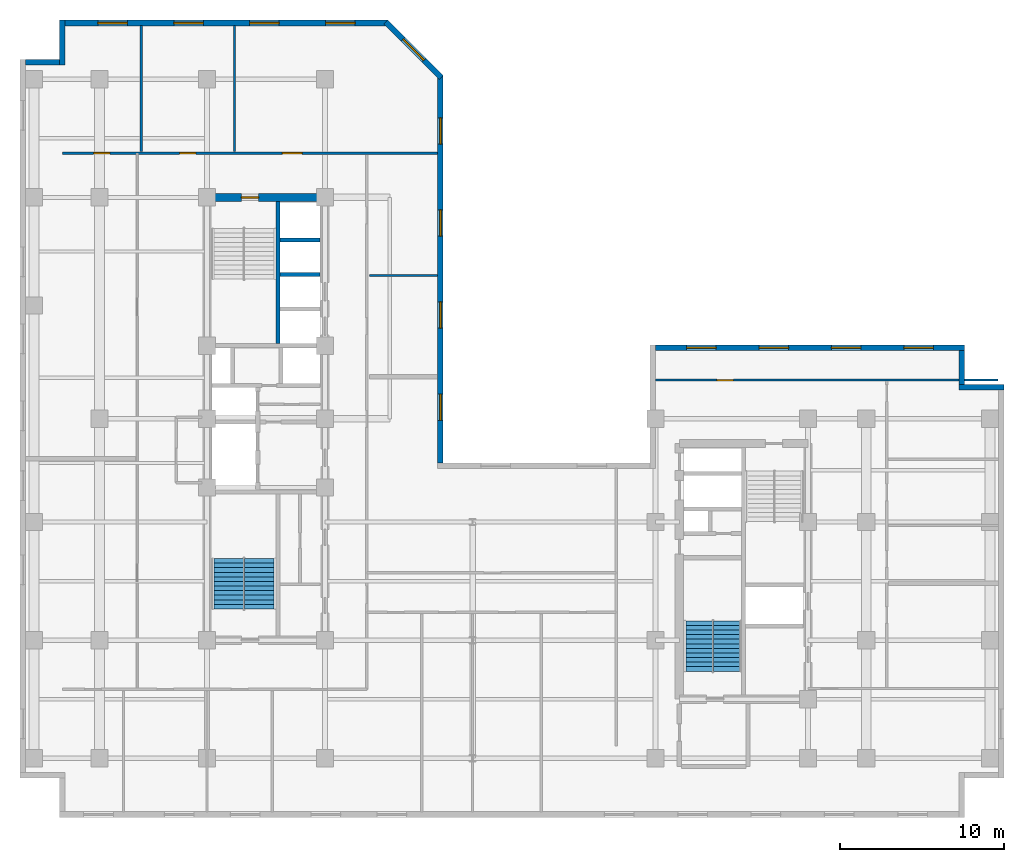
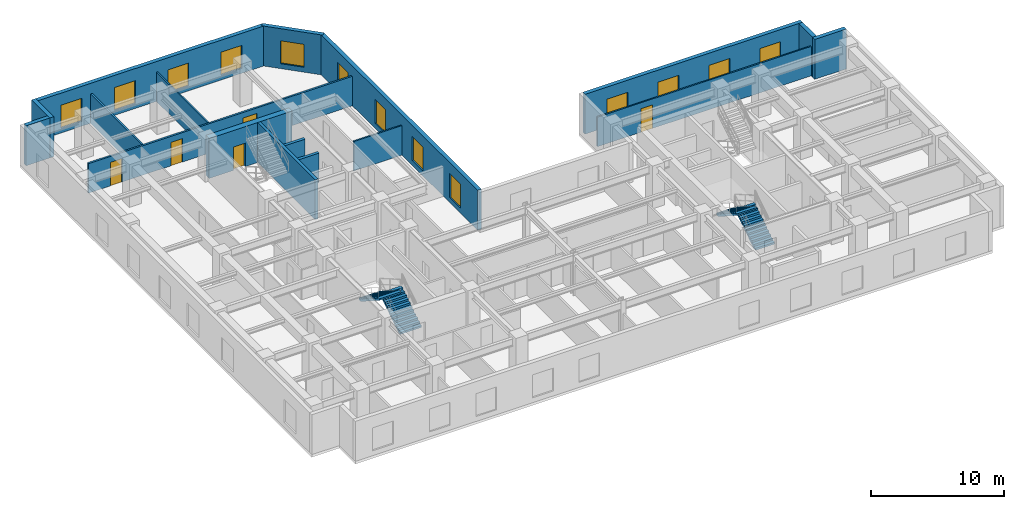
# One storey, part 6 of 10: 17 walls, 13 windows, 5 doors, 4 stair flights, 18 openings, 2 elements without a shape of their own.
"""IFC4 building model written with IfcOpenShell, lengths in metres."""

from ifc_helpers import new_model, entity, si_unit, converted_unit, direction, frame, origin_with_axes, origin_2d_with_axis, place, context, subcontext, project, spatial, polyline, rectangle, outline, extrude, material, layer, layer_set, type_object, element, fill, aggregate, save


model = new_model("IFC4")

# Units and contexts
model_context = context("Model", 3, precision=1e-05, world=origin_with_axes(), true_north=direction((0.0, 1.0)))
body_context = subcontext(model_context, "Body", "Model", "MODEL_VIEW")
ifc_project = project(units=[si_unit("LENGTHUNIT", "METRE"), si_unit("AREAUNIT", "SQUARE_METRE"), si_unit("VOLUMEUNIT", "CUBIC_METRE"), converted_unit("PLANEANGLEUNIT", "DEGREE", entity("IfcPlaneAngleMeasure", 0.017453292519943295), si_unit("PLANEANGLEUNIT", "RADIAN"), dimensions=[0, 0, 0, 0, 0, 0, 0]), si_unit("MASSUNIT", "GRAM", prefix="KILO"), si_unit("THERMODYNAMICTEMPERATUREUNIT", "KELVIN")], contexts=[model_context])

# Site, building, storey
site_placement = place(None, origin_with_axes())
site = spatial("IfcSite", under=ifc_project, at=site_placement, CompositionType="ELEMENT")
building_placement = place(site_placement, origin_with_axes())
building = spatial("IfcBuilding", under=site, at=building_placement, Name="Varnlund Millrace Tower", CompositionType="ELEMENT")
storey_placement = place(building_placement, frame((0.0, 0.0, 179.7), z_axis=(0.0, 0.0, 1.0), x_axis=(1.0, 0.0, 0.0)))
storey = spatial("IfcBuildingStorey", under=building, at=storey_placement, Name="L44", CompositionType="ELEMENT", Elevation=179.7)

# Wall, opening, door
ifc_material_1 = material(Name="Concrete C70/85", Category="concrete")
ifc_layer_1 = layer(ifc_material_1, 0.5, Name="Concrete C70/85")
ifc_layer_set_1 = layer_set([ifc_layer_1], Name="Concrete C70/85")
wall_type_1 = type_object("IfcWallType", Name="Type-CoreWall-Shear-500-C70", PredefinedType="SHEAR", material=ifc_layer_set_1)
wall_1_placement = place(storey_placement, frame((11.4, 37.8, 0.0), z_axis=(0.0, 0.0, 1.0), x_axis=(1.0, 0.0, 0.0)))
wall_1 = element("IfcWall", 1, at=wall_1_placement, inside=storey, type_object=wall_type_1, Name="Type-CoreWall-Shear-500-C70", PredefinedType="SHEAR", context=body_context, shape_type="SweptSolid", body=[
    extrude(outline(polyline([(0.0, -0.25), (7.2, -0.25), (7.2, 0.25), (0.0, 0.25), (0.0, -0.25)])), origin_with_axes(), (0.0, 0.0, 1.0), 3.66),
])
opening_1_placement = place(wall_1_placement, frame((2.625, 0.0, 0.0), z_axis=(0.0, 0.0, 1.0), x_axis=(1.0, 0.0, 0.0)))
opening_1 = element("IfcOpeningElement", 2, at=opening_1_placement, cuts=wall_1, Name="Opening L44:DR-STA2", PredefinedType="OPENING", context=body_context, shape_type="SweptSolid", body=[
    extrude(rectangle(XDim=1.05, YDim=0.52, at=origin_2d_with_axis()), origin_with_axes(), (0.0, 0.0, 1.0), 2.15),
])
ifc_material_2 = material(Name="Fire-rated hollow steel door", Category="steel")
door_type_1 = type_object("IfcDoorType", Name="Type-FireDoor-Stair-1050X2150", OperationType="NOTDEFINED", PredefinedType="DOOR", material=ifc_material_2)
door_1_placement = place(wall_1_placement, frame((2.625, 0.0, 0.0), z_axis=(0.0, 0.0, 1.0), x_axis=(1.0, 0.0, 0.0)))
door_1 = element("IfcDoor", 3, at=door_1_placement, inside=storey, type_object=door_type_1, Name="Type-FireDoor-Stair-1050X2150", OperationType="SINGLE_SWING_RIGHT", OverallHeight=2.15, OverallWidth=1.05, PredefinedType="DOOR", context=body_context, shape_type="SweptSolid", body=[
    extrude(rectangle(XDim=1.05, YDim=0.09, at=origin_2d_with_axis()), origin_with_axes(), (0.0, 0.0, 1.0), 2.15),
])
fill(opening_1, door_1)

# Wall, openings, windows
ifc_material_3 = material(Name="Precast concrete C50/60", Category="concrete")
ifc_layer_2 = layer(ifc_material_3, 0.34, Name="Precast concrete C50/60")
ifc_layer_set_2 = layer_set([ifc_layer_2], Name="Precast concrete C50/60")
wall_type_2 = type_object("IfcWallType", Name="Type-ExtWall-Precast-Upper-340", PredefinedType="SOLIDWALL", material=ifc_layer_set_2)
wall_2_placement = place(storey_placement, frame((38.74, 28.63, 0.0), z_axis=(0.0, 0.0, 1.0), x_axis=(1.0, 0.0, 0.0)))
wall_2 = element("IfcWall", 4, at=wall_2_placement, inside=storey, type_object=wall_type_2, Name="Type-ExtWall-Precast-Upper-340", PredefinedType="SOLIDWALL", context=body_context, shape_type="SweptSolid", body=[
    extrude(outline(polyline([(0.0, -0.17), (18.86, -0.17), (18.86, 0.17), (0.0, 0.17), (0.0, -0.17)])), origin_with_axes(), (0.0, 0.0, 1.0), 3.66),
])
opening_2_placement = place(wall_2_placement, frame((2.808, 0.0, 0.45), z_axis=(0.0, 0.0, 1.0), x_axis=(1.0, 0.0, 0.0)))
opening_2 = element("IfcOpeningElement", 5, at=opening_2_placement, cuts=wall_2, Name="Opening L44:WN-01", PredefinedType="OPENING", context=body_context, shape_type="SweptSolid", body=[
    extrude(rectangle(XDim=1.8, YDim=0.36, at=origin_2d_with_axis()), origin_with_axes(), (0.0, 0.0, 1.0), 2.1),
])
opening_3_placement = place(wall_2_placement, frame((7.222, 0.0, 0.45), z_axis=(0.0, 0.0, 1.0), x_axis=(1.0, 0.0, 0.0)))
opening_3 = element("IfcOpeningElement", 6, at=opening_3_placement, cuts=wall_2, Name="Opening L44:WN-02", PredefinedType="OPENING", context=body_context, shape_type="SweptSolid", body=[
    extrude(rectangle(XDim=1.8, YDim=0.36, at=origin_2d_with_axis()), origin_with_axes(), (0.0, 0.0, 1.0), 2.1),
])
opening_4_placement = place(wall_2_placement, frame((11.637, 0.0, 0.45), z_axis=(0.0, 0.0, 1.0), x_axis=(1.0, 0.0, 0.0)))
opening_4 = element("IfcOpeningElement", 7, at=opening_4_placement, cuts=wall_2, Name="Opening L44:WN-03", PredefinedType="OPENING", context=body_context, shape_type="SweptSolid", body=[
    extrude(rectangle(XDim=1.8, YDim=0.36, at=origin_2d_with_axis()), origin_with_axes(), (0.0, 0.0, 1.0), 2.1),
])
opening_5_placement = place(wall_2_placement, frame((16.053, 0.0, 0.45), z_axis=(0.0, 0.0, 1.0), x_axis=(1.0, 0.0, 0.0)))
opening_5 = element("IfcOpeningElement", 8, at=opening_5_placement, cuts=wall_2, Name="Opening L44:WN-04", PredefinedType="OPENING", context=body_context, shape_type="SweptSolid", body=[
    extrude(rectangle(XDim=1.8, YDim=0.36, at=origin_2d_with_axis()), origin_with_axes(), (0.0, 0.0, 1.0), 2.1),
])
ifc_material_4 = material(Name="Argon low-e triple glazing in thermally broken bronze frame", Category="glass")
window_type_1 = type_object("IfcWindowType", Name="Type-Window-Punched-1800X2100", PartitioningType="SINGLE_PANEL", PredefinedType="WINDOW", material=ifc_material_4)
window_1_placement = place(wall_2_placement, frame((2.808, 0.0, 0.45), z_axis=(0.0, 0.0, 1.0), x_axis=(1.0, 0.0, 0.0)))
window_1 = element("IfcWindow", 9, at=window_1_placement, inside=storey, type_object=window_type_1, Name="Type-Window-Punched-1800X2100", OverallHeight=2.1, OverallWidth=1.8, PredefinedType="WINDOW", context=body_context, shape_type="SweptSolid", body=[
    extrude(rectangle(XDim=1.8, YDim=0.09, at=origin_2d_with_axis()), origin_with_axes(), (0.0, 0.0, 1.0), 2.1),
])
fill(opening_2, window_1)
window_2_placement = place(wall_2_placement, frame((7.222, 0.0, 0.45), z_axis=(0.0, 0.0, 1.0), x_axis=(1.0, 0.0, 0.0)))
window_2 = element("IfcWindow", 10, at=window_2_placement, inside=storey, type_object=window_type_1, Name="Type-Window-Punched-1800X2100", OverallHeight=2.1, OverallWidth=1.8, PredefinedType="WINDOW", context=body_context, shape_type="SweptSolid", body=[
    extrude(rectangle(XDim=1.8, YDim=0.09, at=origin_2d_with_axis()), origin_with_axes(), (0.0, 0.0, 1.0), 2.1),
])
fill(opening_3, window_2)
window_3_placement = place(wall_2_placement, frame((11.637, 0.0, 0.45), z_axis=(0.0, 0.0, 1.0), x_axis=(1.0, 0.0, 0.0)))
window_3 = element("IfcWindow", 11, at=window_3_placement, inside=storey, type_object=window_type_1, Name="Type-Window-Punched-1800X2100", OverallHeight=2.1, OverallWidth=1.8, PredefinedType="WINDOW", context=body_context, shape_type="SweptSolid", body=[
    extrude(rectangle(XDim=1.8, YDim=0.09, at=origin_2d_with_axis()), origin_with_axes(), (0.0, 0.0, 1.0), 2.1),
])
fill(opening_4, window_3)
window_4_placement = place(wall_2_placement, frame((16.053, 0.0, 0.45), z_axis=(0.0, 0.0, 1.0), x_axis=(1.0, 0.0, 0.0)))
window_4 = element("IfcWindow", 12, at=window_4_placement, inside=storey, type_object=window_type_1, Name="Type-Window-Punched-1800X2100", OverallHeight=2.1, OverallWidth=1.8, PredefinedType="WINDOW", context=body_context, shape_type="SweptSolid", body=[
    extrude(rectangle(XDim=1.8, YDim=0.09, at=origin_2d_with_axis()), origin_with_axes(), (0.0, 0.0, 1.0), 2.1),
])
fill(opening_5, window_4)

# Walls
wall_3_placement = place(storey_placement, frame((57.43, 28.46, 0.0), z_axis=(0.0, 0.0, 1.0), x_axis=(0.0, -1.0, 0.0)))
element("IfcWall", 13, at=wall_3_placement, inside=storey, type_object=wall_type_2, Name="Type-ExtWall-Precast-Upper-340", PredefinedType="SOLIDWALL", context=body_context, shape_type="SweptSolid", body=[
    extrude(outline(polyline([(0.0, -0.17), (2.06, -0.17), (2.06, 0.17), (0.0, 0.17), (0.0, -0.17)])), origin_with_axes(), (0.0, 0.0, 1.0), 3.66),
])
wall_4_placement = place(storey_placement, frame((57.26, 26.23, 0.0), z_axis=(0.0, 0.0, 1.0), x_axis=(1.0, 0.0, 0.0)))
element("IfcWall", 14, at=wall_4_placement, inside=storey, type_object=wall_type_2, Name="Type-ExtWall-Precast-Upper-340", PredefinedType="SOLIDWALL", context=body_context, shape_type="SweptSolid", body=[
    extrude(outline(polyline([(0.0, -0.17), (2.74, -0.17), (2.74, 0.17), (0.0, 0.17), (0.0, -0.17)])), origin_with_axes(), (0.0, 0.0, 1.0), 3.66),
])
wall_5_placement = place(storey_placement, frame((0.34, 46.03, 0.0), z_axis=(0.0, 0.0, 1.0), x_axis=(1.0, 0.0, 0.0)))
element("IfcWall", 15, at=wall_5_placement, inside=storey, type_object=wall_type_2, Name="Type-ExtWall-Precast-Upper-340", PredefinedType="SOLIDWALL", context=body_context, shape_type="SweptSolid", body=[
    extrude(outline(polyline([(0.0, -0.17), (2.06, -0.17), (2.06, 0.17), (0.0, 0.17), (0.0, -0.17)])), origin_with_axes(), (0.0, 0.0, 1.0), 3.66),
])
wall_6_placement = place(storey_placement, frame((2.57, 45.86, 0.0), z_axis=(0.0, 0.0, 1.0), x_axis=(0.0, 1.0, 0.0)))
element("IfcWall", 16, at=wall_6_placement, inside=storey, type_object=wall_type_2, Name="Type-ExtWall-Precast-Upper-340", PredefinedType="SOLIDWALL", context=body_context, shape_type="SweptSolid", body=[
    extrude(outline(polyline([(0.0, -0.17), (2.74, -0.17), (2.74, 0.17), (0.0, 0.17), (0.0, -0.17)])), origin_with_axes(), (0.0, 0.0, 1.0), 3.66),
])

# Wall, openings, windows
wall_7_placement = place(storey_placement, frame((2.74, 48.43, 0.0), z_axis=(0.0, 0.0, 1.0), x_axis=(1.0, 0.0, 0.0)))
wall_7 = element("IfcWall", 17, at=wall_7_placement, inside=storey, type_object=wall_type_2, Name="Type-ExtWall-Precast-Upper-340", PredefinedType="SOLIDWALL", context=body_context, shape_type="SweptSolid", body=[
    extrude(outline(polyline([(0.0, -0.17), (19.705, -0.17), (19.705, 0.17), (0.0, 0.17), (0.0, -0.17)])), origin_with_axes(), (0.0, 0.0, 1.0), 3.66),
])
opening_6_placement = place(wall_7_placement, frame((2.913, 0.0, 0.45), z_axis=(0.0, 0.0, 1.0), x_axis=(1.0, 0.0, 0.0)))
opening_6 = element("IfcOpeningElement", 18, at=opening_6_placement, cuts=wall_7, Name="Opening L44:WN-23", PredefinedType="OPENING", context=body_context, shape_type="SweptSolid", body=[
    extrude(rectangle(XDim=1.8, YDim=0.36, at=origin_2d_with_axis()), origin_with_axes(), (0.0, 0.0, 1.0), 2.1),
])
opening_7_placement = place(wall_7_placement, frame((7.539, 0.0, 0.45), z_axis=(0.0, 0.0, 1.0), x_axis=(1.0, 0.0, 0.0)))
opening_7 = element("IfcOpeningElement", 19, at=opening_7_placement, cuts=wall_7, Name="Opening L44:WN-24", PredefinedType="OPENING", context=body_context, shape_type="SweptSolid", body=[
    extrude(rectangle(XDim=1.8, YDim=0.36, at=origin_2d_with_axis()), origin_with_axes(), (0.0, 0.0, 1.0), 2.1),
])
opening_8_placement = place(wall_7_placement, frame((12.166, 0.0, 0.45), z_axis=(0.0, 0.0, 1.0), x_axis=(1.0, 0.0, 0.0)))
opening_8 = element("IfcOpeningElement", 20, at=opening_8_placement, cuts=wall_7, Name="Opening L44:WN-25", PredefinedType="OPENING", context=body_context, shape_type="SweptSolid", body=[
    extrude(rectangle(XDim=1.8, YDim=0.36, at=origin_2d_with_axis()), origin_with_axes(), (0.0, 0.0, 1.0), 2.1),
])
opening_9_placement = place(wall_7_placement, frame((16.792, 0.0, 0.45), z_axis=(0.0, 0.0, 1.0), x_axis=(1.0, 0.0, 0.0)))
opening_9 = element("IfcOpeningElement", 21, at=opening_9_placement, cuts=wall_7, Name="Opening L44:WN-26", PredefinedType="OPENING", context=body_context, shape_type="SweptSolid", body=[
    extrude(rectangle(XDim=1.8, YDim=0.36, at=origin_2d_with_axis()), origin_with_axes(), (0.0, 0.0, 1.0), 2.1),
])
window_5_placement = place(wall_7_placement, frame((2.913, 0.0, 0.45), z_axis=(0.0, 0.0, 1.0), x_axis=(1.0, 0.0, 0.0)))
window_5 = element("IfcWindow", 22, at=window_5_placement, inside=storey, type_object=window_type_1, Name="Type-Window-Punched-1800X2100", OverallHeight=2.1, OverallWidth=1.8, PredefinedType="WINDOW", context=body_context, shape_type="SweptSolid", body=[
    extrude(rectangle(XDim=1.8, YDim=0.09, at=origin_2d_with_axis()), origin_with_axes(), (0.0, 0.0, 1.0), 2.1),
])
fill(opening_6, window_5)
window_6_placement = place(wall_7_placement, frame((7.539, 0.0, 0.45), z_axis=(0.0, 0.0, 1.0), x_axis=(1.0, 0.0, 0.0)))
window_6 = element("IfcWindow", 23, at=window_6_placement, inside=storey, type_object=window_type_1, Name="Type-Window-Punched-1800X2100", OverallHeight=2.1, OverallWidth=1.8, PredefinedType="WINDOW", context=body_context, shape_type="SweptSolid", body=[
    extrude(rectangle(XDim=1.8, YDim=0.09, at=origin_2d_with_axis()), origin_with_axes(), (0.0, 0.0, 1.0), 2.1),
])
fill(opening_7, window_6)
window_7_placement = place(wall_7_placement, frame((12.166, 0.0, 0.45), z_axis=(0.0, 0.0, 1.0), x_axis=(1.0, 0.0, 0.0)))
window_7 = element("IfcWindow", 24, at=window_7_placement, inside=storey, type_object=window_type_1, Name="Type-Window-Punched-1800X2100", OverallHeight=2.1, OverallWidth=1.8, PredefinedType="WINDOW", context=body_context, shape_type="SweptSolid", body=[
    extrude(rectangle(XDim=1.8, YDim=0.09, at=origin_2d_with_axis()), origin_with_axes(), (0.0, 0.0, 1.0), 2.1),
])
fill(opening_8, window_7)
window_8_placement = place(wall_7_placement, frame((16.792, 0.0, 0.45), z_axis=(0.0, 0.0, 1.0), x_axis=(1.0, 0.0, 0.0)))
window_8 = element("IfcWindow", 25, at=window_8_placement, inside=storey, type_object=window_type_1, Name="Type-Window-Punched-1800X2100", OverallHeight=2.1, OverallWidth=1.8, PredefinedType="WINDOW", context=body_context, shape_type="SweptSolid", body=[
    extrude(rectangle(XDim=1.8, YDim=0.09, at=origin_2d_with_axis()), origin_with_axes(), (0.0, 0.0, 1.0), 2.1),
])
fill(opening_9, window_8)

# Wall, opening, window
wall_8_placement = place(storey_placement, frame((22.311, 48.494, 0.0), z_axis=(0.0, 0.0, 1.0), x_axis=(0.707107, -0.707107, 0.0)))
wall_8 = element("IfcWall", 26, at=wall_8_placement, inside=storey, type_object=wall_type_2, Name="Type-ExtWall-Precast-Upper-340", PredefinedType="SOLIDWALL", context=body_context, shape_type="SweptSolid", body=[
    extrude(outline(polyline([(0.0, -0.17), (4.771557, -0.17), (4.771557, 0.17), (0.0, 0.17), (0.0, -0.17)])), origin_with_axes(), (0.0, 0.0, 1.0), 3.66),
])
opening_10_placement = place(wall_8_placement, frame((2.386, 0.0, 0.45), z_axis=(0.0, 0.0, 1.0), x_axis=(1.0, 0.0, 0.0)))
opening_10 = element("IfcOpeningElement", 27, at=opening_10_placement, cuts=wall_8, Name="Opening L44:WN-27", PredefinedType="OPENING", context=body_context, shape_type="SweptSolid", body=[
    extrude(rectangle(XDim=1.8, YDim=0.36, at=origin_2d_with_axis()), origin_with_axes(), (0.0, 0.0, 1.0), 2.1),
])
window_9_placement = place(wall_8_placement, frame((2.386, 0.0, 0.45), z_axis=(0.0, 0.0, 1.0), x_axis=(1.0, 0.0, 0.0)))
window_9 = element("IfcWindow", 28, at=window_9_placement, inside=storey, type_object=window_type_1, Name="Type-Window-Punched-1800X2100", OverallHeight=2.1, OverallWidth=1.8, PredefinedType="WINDOW", context=body_context, shape_type="SweptSolid", body=[
    extrude(rectangle(XDim=1.8, YDim=0.09, at=origin_2d_with_axis()), origin_with_axes(), (0.0, 0.0, 1.0), 2.1),
])
fill(opening_10, window_9)

# Wall, openings, windows
wall_9_placement = place(storey_placement, frame((25.635, 45.26, 0.0), z_axis=(0.0, 0.0, 1.0), x_axis=(0.0, -1.0, 0.0)))
wall_9 = element("IfcWall", 29, at=wall_9_placement, inside=storey, type_object=wall_type_2, Name="Type-ExtWall-Precast-Upper-340", PredefinedType="SOLIDWALL", context=body_context, shape_type="SweptSolid", body=[
    extrude(outline(polyline([(0.0, -0.17), (23.66, -0.17), (23.66, 0.17), (0.0, 0.17), (0.0, -0.17)])), origin_with_axes(), (0.0, 0.0, 1.0), 3.66),
])
opening_11_placement = place(wall_9_placement, frame((3.407, 0.0, 0.45), z_axis=(0.0, 0.0, 1.0), x_axis=(1.0, 0.0, 0.0)))
opening_11 = element("IfcOpeningElement", 30, at=opening_11_placement, cuts=wall_9, Name="Opening L44:WN-28", PredefinedType="OPENING", context=body_context, shape_type="SweptSolid", body=[
    extrude(rectangle(XDim=1.6, YDim=0.36, at=origin_2d_with_axis()), origin_with_axes(), (0.0, 0.0, 1.0), 2.2),
])
opening_12_placement = place(wall_9_placement, frame((9.022, 0.0, 0.45), z_axis=(0.0, 0.0, 1.0), x_axis=(1.0, 0.0, 0.0)))
opening_12 = element("IfcOpeningElement", 31, at=opening_12_placement, cuts=wall_9, Name="Opening L44:WN-29", PredefinedType="OPENING", context=body_context, shape_type="SweptSolid", body=[
    extrude(rectangle(XDim=1.6, YDim=0.36, at=origin_2d_with_axis()), origin_with_axes(), (0.0, 0.0, 1.0), 2.2),
])
opening_13_placement = place(wall_9_placement, frame((14.637, 0.0, 0.45), z_axis=(0.0, 0.0, 1.0), x_axis=(1.0, 0.0, 0.0)))
opening_13 = element("IfcOpeningElement", 32, at=opening_13_placement, cuts=wall_9, Name="Opening L44:WN-30", PredefinedType="OPENING", context=body_context, shape_type="SweptSolid", body=[
    extrude(rectangle(XDim=1.6, YDim=0.36, at=origin_2d_with_axis()), origin_with_axes(), (0.0, 0.0, 1.0), 2.2),
])
opening_14_placement = place(wall_9_placement, frame((20.252, 0.0, 0.45), z_axis=(0.0, 0.0, 1.0), x_axis=(1.0, 0.0, 0.0)))
opening_14 = element("IfcOpeningElement", 33, at=opening_14_placement, cuts=wall_9, Name="Opening L44:WN-31", PredefinedType="OPENING", context=body_context, shape_type="SweptSolid", body=[
    extrude(rectangle(XDim=1.6, YDim=0.36, at=origin_2d_with_axis()), origin_with_axes(), (0.0, 0.0, 1.0), 2.2),
])
window_type_2 = type_object("IfcWindowType", Name="Type-Window-Slot-1600X2200", PartitioningType="SINGLE_PANEL", PredefinedType="WINDOW", material=ifc_material_4)
window_10_placement = place(wall_9_placement, frame((3.407, 0.0, 0.45), z_axis=(0.0, 0.0, 1.0), x_axis=(1.0, 0.0, 0.0)))
window_10 = element("IfcWindow", 34, at=window_10_placement, inside=storey, type_object=window_type_2, Name="Type-Window-Slot-1600X2200", OverallHeight=2.2, OverallWidth=1.6, PredefinedType="WINDOW", context=body_context, shape_type="SweptSolid", body=[
    extrude(rectangle(XDim=1.6, YDim=0.09, at=origin_2d_with_axis()), origin_with_axes(), (0.0, 0.0, 1.0), 2.2),
])
fill(opening_11, window_10)
window_11_placement = place(wall_9_placement, frame((9.022, 0.0, 0.45), z_axis=(0.0, 0.0, 1.0), x_axis=(1.0, 0.0, 0.0)))
window_11 = element("IfcWindow", 35, at=window_11_placement, inside=storey, type_object=window_type_2, Name="Type-Window-Slot-1600X2200", OverallHeight=2.2, OverallWidth=1.6, PredefinedType="WINDOW", context=body_context, shape_type="SweptSolid", body=[
    extrude(rectangle(XDim=1.6, YDim=0.09, at=origin_2d_with_axis()), origin_with_axes(), (0.0, 0.0, 1.0), 2.2),
])
fill(opening_12, window_11)
window_12_placement = place(wall_9_placement, frame((14.637, 0.0, 0.45), z_axis=(0.0, 0.0, 1.0), x_axis=(1.0, 0.0, 0.0)))
window_12 = element("IfcWindow", 36, at=window_12_placement, inside=storey, type_object=window_type_2, Name="Type-Window-Slot-1600X2200", OverallHeight=2.2, OverallWidth=1.6, PredefinedType="WINDOW", context=body_context, shape_type="SweptSolid", body=[
    extrude(rectangle(XDim=1.6, YDim=0.09, at=origin_2d_with_axis()), origin_with_axes(), (0.0, 0.0, 1.0), 2.2),
])
fill(opening_13, window_12)
window_13_placement = place(wall_9_placement, frame((20.252, 0.0, 0.45), z_axis=(0.0, 0.0, 1.0), x_axis=(1.0, 0.0, 0.0)))
window_13 = element("IfcWindow", 37, at=window_13_placement, inside=storey, type_object=window_type_2, Name="Type-Window-Slot-1600X2200", OverallHeight=2.2, OverallWidth=1.6, PredefinedType="WINDOW", context=body_context, shape_type="SweptSolid", body=[
    extrude(rectangle(XDim=1.6, YDim=0.09, at=origin_2d_with_axis()), origin_with_axes(), (0.0, 0.0, 1.0), 2.2),
])
fill(opening_14, window_13)

# Wall, openings, doors
ifc_material_5 = material(Name="Fire-rated gypsum board on cold-formed steel framing", Category="steel")
ifc_layer_3 = layer(ifc_material_5, 0.16, Name="Fire-rated gypsum board on cold-formed steel framing")
ifc_layer_set_3 = layer_set([ifc_layer_3], Name="Fire-rated gypsum board on cold-formed steel framing")
wall_type_3 = type_object("IfcWallType", Name="Type-Partition-Corridor-160", PredefinedType="PARTITIONING", material=ifc_layer_set_3)
wall_10_placement = place(storey_placement, frame((2.6, 40.5, 0.0), z_axis=(0.0, 0.0, 1.0), x_axis=(1.0, 0.0, 0.0)))
wall_10 = element("IfcWall", 38, at=wall_10_placement, inside=storey, type_object=wall_type_3, Name="Type-Partition-Corridor-160", PredefinedType="PARTITIONING", context=body_context, shape_type="SweptSolid", body=[
    extrude(outline(polyline([(0.0, -0.08), (22.87, -0.08), (22.87, 0.08), (0.0, 0.08), (0.0, -0.08)])), origin_with_axes(), (0.0, 0.0, 1.0), 2.7),
])
opening_15_placement = place(wall_10_placement, frame((2.3865, 0.0, 0.0), z_axis=(0.0, 0.0, 1.0), x_axis=(1.0, 0.0, 0.0)))
opening_15 = element("IfcOpeningElement", 39, at=opening_15_placement, cuts=wall_10, Name="Opening L44:DR-WAN-01", PredefinedType="OPENING", context=body_context, shape_type="SweptSolid", body=[
    extrude(rectangle(XDim=1.0, YDim=0.18, at=origin_2d_with_axis()), origin_with_axes(), (0.0, 0.0, 1.0), 2.15),
])
opening_16_placement = place(wall_10_placement, frame((7.631, 0.0, 0.0), z_axis=(0.0, 0.0, 1.0), x_axis=(1.0, 0.0, 0.0)))
opening_16 = element("IfcOpeningElement", 40, at=opening_16_placement, cuts=wall_10, Name="Opening L44:DR-WAN-02", PredefinedType="OPENING", context=body_context, shape_type="SweptSolid", body=[
    extrude(rectangle(XDim=1.0, YDim=0.18, at=origin_2d_with_axis()), origin_with_axes(), (0.0, 0.0, 1.0), 2.15),
])
opening_17_placement = place(wall_10_placement, frame((13.9995, 0.0, 0.0), z_axis=(0.0, 0.0, 1.0), x_axis=(1.0, 0.0, 0.0)))
opening_17 = element("IfcOpeningElement", 41, at=opening_17_placement, cuts=wall_10, Name="Opening L44:DR-WAN-03", PredefinedType="OPENING", context=body_context, shape_type="SweptSolid", body=[
    extrude(rectangle(XDim=1.2, YDim=0.18, at=origin_2d_with_axis()), origin_with_axes(), (0.0, 0.0, 1.0), 2.2),
])
ifc_material_6 = material(Name="Wide executive white oak acoustic door")
door_type_2 = type_object("IfcDoorType", Name="Type-IntDoor-Exec-1200X2200", OperationType="NOTDEFINED", PredefinedType="DOOR", material=ifc_material_6)
door_2_placement = place(wall_10_placement, frame((13.9995, 0.0, 0.0), z_axis=(0.0, 0.0, 1.0), x_axis=(1.0, 0.0, 0.0)))
door_2 = element("IfcDoor", 42, at=door_2_placement, inside=storey, type_object=door_type_2, Name="Type-IntDoor-Exec-1200X2200", OperationType="SINGLE_SWING_LEFT", OverallHeight=2.2, OverallWidth=1.2, PredefinedType="DOOR", context=body_context, shape_type="SweptSolid", body=[
    extrude(rectangle(XDim=1.2, YDim=0.09, at=origin_2d_with_axis()), origin_with_axes(), (0.0, 0.0, 1.0), 2.2),
])
fill(opening_17, door_2)
ifc_material_7 = material(Name="Solid-core white oak and bronze frame door")
door_type_3 = type_object("IfcDoorType", Name="Type-IntDoor-Office-1000X2150", OperationType="NOTDEFINED", PredefinedType="DOOR", material=ifc_material_7)
door_3_placement = place(wall_10_placement, frame((2.3865, 0.0, 0.0), z_axis=(0.0, 0.0, 1.0), x_axis=(1.0, 0.0, 0.0)))
door_3 = element("IfcDoor", 43, at=door_3_placement, inside=storey, type_object=door_type_3, Name="Type-IntDoor-Office-1000X2150", OperationType="SINGLE_SWING_LEFT", OverallHeight=2.15, OverallWidth=1.0, PredefinedType="DOOR", context=body_context, shape_type="SweptSolid", body=[
    extrude(rectangle(XDim=1.0, YDim=0.09, at=origin_2d_with_axis()), origin_with_axes(), (0.0, 0.0, 1.0), 2.15),
])
fill(opening_15, door_3)
door_4_placement = place(wall_10_placement, frame((7.631, 0.0, 0.0), z_axis=(0.0, 0.0, 1.0), x_axis=(1.0, 0.0, 0.0)))
door_4 = element("IfcDoor", 44, at=door_4_placement, inside=storey, type_object=door_type_3, Name="Type-IntDoor-Office-1000X2150", OperationType="SINGLE_SWING_RIGHT", OverallHeight=2.15, OverallWidth=1.0, PredefinedType="DOOR", context=body_context, shape_type="SweptSolid", body=[
    extrude(rectangle(XDim=1.0, YDim=0.09, at=origin_2d_with_axis()), origin_with_axes(), (0.0, 0.0, 1.0), 2.15),
])
fill(opening_16, door_4)

# Walls
ifc_material_8 = material(Name="Acoustic STC-50 gypsum board partition", Category="gypsum")
ifc_layer_4 = layer(ifc_material_8, 0.15, Name="Acoustic STC-50 gypsum board partition")
ifc_layer_set_4 = layer_set([ifc_layer_4], Name="Acoustic STC-50 gypsum board partition")
wall_type_4 = type_object("IfcWallType", Name="Type-Partition-Demising-150", PredefinedType="PARTITIONING", material=ifc_layer_set_4)
wall_11_placement = place(storey_placement, frame((7.383, 40.6, 0.0), z_axis=(0.0, 0.0, 1.0), x_axis=(0.0, 1.0, 0.0)))
element("IfcWall", 45, at=wall_11_placement, inside=storey, type_object=wall_type_4, Name="Type-Partition-Demising-150", PredefinedType="PARTITIONING", context=body_context, shape_type="SweptSolid", body=[
    extrude(outline(polyline([(0.0, -0.075), (7.665, -0.075), (7.665, 0.075), (0.0, 0.075), (0.0, -0.075)])), origin_with_axes(), (0.0, 0.0, 1.0), 2.7),
])
ifc_material_9 = material(Name="Gypsum board tenant partition", Category="gypsum")
ifc_layer_5 = layer(ifc_material_9, 0.125, Name="Gypsum board tenant partition")
ifc_layer_set_5 = layer_set([ifc_layer_5], Name="Gypsum board tenant partition")
wall_type_5 = type_object("IfcWallType", Name="Type-Partition-Tenant-125", PredefinedType="PARTITIONING", material=ifc_layer_set_5)
wall_12_placement = place(storey_placement, frame((13.079, 40.6, 0.0), z_axis=(0.0, 0.0, 1.0), x_axis=(0.0, 1.0, 0.0)))
element("IfcWall", 46, at=wall_12_placement, inside=storey, type_object=wall_type_5, Name="Type-Partition-Tenant-125", PredefinedType="PARTITIONING", context=body_context, shape_type="SweptSolid", body=[
    extrude(outline(polyline([(0.0, -0.0625), (7.665, -0.0625), (7.665, 0.0625), (0.0, 0.0625), (0.0, -0.0625)])), origin_with_axes(), (0.0, 0.0, 1.0), 2.7),
])
wall_13_placement = place(storey_placement, frame((21.3, 33.034, 0.0), z_axis=(0.0, 0.0, 1.0), x_axis=(1.0, 0.0, 0.0)))
element("IfcWall", 47, at=wall_13_placement, inside=storey, type_object=wall_type_5, Name="Type-Partition-Tenant-125", PredefinedType="PARTITIONING", context=body_context, shape_type="SweptSolid", body=[
    extrude(outline(polyline([(0.0, -0.0625), (4.17, -0.0625), (4.17, 0.0625), (0.0, 0.0625), (0.0, -0.0625)])), origin_with_axes(), (0.0, 0.0, 1.0), 2.7),
])

# Wall, opening, door
wall_14_placement = place(storey_placement, frame((38.735, 26.65, 0.0), z_axis=(0.0, 0.0, 1.0), x_axis=(1.0, 0.0, 0.0)))
wall_14 = element("IfcWall", 48, at=wall_14_placement, inside=storey, type_object=wall_type_5, Name="Type-Partition-Tenant-125", PredefinedType="PARTITIONING", context=body_context, shape_type="SweptSolid", body=[
    extrude(outline(polyline([(0.0, -0.0625), (20.905, -0.0625), (20.905, 0.0625), (0.0, 0.0625), (0.0, -0.0625)])), origin_with_axes(), (0.0, 0.0, 1.0), 2.7),
])
opening_18_placement = place(wall_14_placement, frame((4.265, 0.0, 0.0), z_axis=(0.0, 0.0, 1.0), x_axis=(1.0, 0.0, 0.0)))
opening_18 = element("IfcOpeningElement", 49, at=opening_18_placement, cuts=wall_14, Name="Opening L44:DR-WBN-01", PredefinedType="OPENING", context=body_context, shape_type="SweptSolid", body=[
    extrude(rectangle(XDim=1.0, YDim=0.145, at=origin_2d_with_axis()), origin_with_axes(), (0.0, 0.0, 1.0), 2.15),
])
door_5_placement = place(wall_14_placement, frame((4.265, 0.0, 0.0), z_axis=(0.0, 0.0, 1.0), x_axis=(1.0, 0.0, 0.0)))
door_5 = element("IfcDoor", 50, at=door_5_placement, inside=storey, type_object=door_type_3, Name="Type-IntDoor-Office-1000X2150", OperationType="SINGLE_SWING_RIGHT", OverallHeight=2.15, OverallWidth=1.0, PredefinedType="DOOR", context=body_context, shape_type="SweptSolid", body=[
    extrude(rectangle(XDim=1.0, YDim=0.075, at=origin_2d_with_axis()), origin_with_axes(), (0.0, 0.0, 1.0), 2.15),
])
fill(opening_18, door_5)

# Walls
ifc_material_10 = material(Name="Concrete C60/75", Category="concrete")
ifc_layer_6 = layer(ifc_material_10, 0.25, Name="Concrete C60/75")
ifc_layer_set_6 = layer_set([ifc_layer_6], Name="Concrete C60/75")
wall_type_6 = type_object("IfcWallType", Name="Type-ShaftWall-Fire-250", PredefinedType="SOLIDWALL", material=ifc_layer_set_6)
for number, where, z_axis, x_axis, name in (
    (51, (15.84, 33.1, 0.0), (0.0, 0.0, 1.0), (1.0, 0.0, 0.0), "Type-ShaftWall-Fire-250"),
    (52, (15.84, 35.2, 0.0), (0.0, 0.0, 1.0), (1.0, 0.0, 0.0), "Type-ShaftWall-Fire-250"),
):
    element("IfcWall", number, at=place(storey_placement, frame(where, z_axis=z_axis, x_axis=x_axis)), inside=storey, type_object=wall_type_6, Name=name, PredefinedType="SOLIDWALL", context=body_context, shape_type="SweptSolid", body=[
        extrude(outline(polyline([(0.0, -0.125), (2.46, -0.125), (2.46, 0.125), (0.0, 0.125), (0.0, -0.125)])), origin_with_axes(), (0.0, 0.0, 1.0), 2.7),
    ])
wall_type_7 = type_object("IfcWallType", Name="Type-StairWall-Shear-250", PredefinedType="SHEAR", material=ifc_layer_set_6)
wall_15_placement = place(storey_placement, frame((15.725, 28.9, 0.0), z_axis=(0.0, 0.0, 1.0), x_axis=(0.0, 1.0, 0.0)))
element("IfcWall", 53, at=wall_15_placement, inside=storey, type_object=wall_type_7, Name="Type-StairWall-Shear-250", PredefinedType="SHEAR", context=body_context, shape_type="SweptSolid", body=[
    extrude(outline(polyline([(0.0, -0.125), (8.65, -0.125), (8.65, 0.125), (0.0, 0.125), (0.0, -0.125)])), origin_with_axes(), (0.0, 0.0, 1.0), 3.66),
])

# Stair, stair flights
ifc_material_11 = material(Name="Concrete C50/60", Category="concrete")
stair_type_1 = type_object("IfcStairType", Name="Type-Stair-Dogleg-165-390", PredefinedType="HALF_TURN_STAIR", material=ifc_material_11)
stair_1_placement = place(storey_placement, origin_with_axes())
stair_1 = element("IfcStair", 54, at=stair_1_placement, inside=storey, type_object=stair_type_1, Name="Type-Stair-Dogleg-165-390", PredefinedType="HALF_TURN_STAIR")
stair_flight_type_1 = type_object("IfcStairFlightType", Name="Type-Dogleg-Run-165-390", PredefinedType="STRAIGHT", material=ifc_material_3)
stair_flight_1_placement = place(storey_placement, frame((42.225, 8.9, 0.0), z_axis=(1.0, 0.0, 0.0), x_axis=(0.0, 1.0, 0.0)))
stair_flight_1 = element("IfcStairFlight", 55, at=stair_flight_1_placement, type_object=stair_flight_type_1, Name="ST-B1 flight 1", NumberOfRisers=11, NumberOfTreads=11, PredefinedType="STRAIGHT", RiserHeight=0.177273, TreadLength=0.28, context=body_context, shape_type="SweptSolid", body=[
    extrude(outline(polyline([(0.0, 0.0), (0.0, 0.177273), (0.28, 0.177273), (0.28, 0.354545), (0.56, 0.354545), (0.56, 0.531818), (0.84, 0.531818), (0.84, 0.709091), (1.12, 0.709091), (1.12, 0.886364), (1.4, 0.886364), (1.4, 1.063636), (1.68, 1.063636), (1.68, 1.240909), (1.96, 1.240909), (1.96, 1.418182), (2.24, 1.418182), (2.24, 1.595454), (2.52, 1.595454), (2.52, 1.772727), (2.8, 1.772727), (2.8, 1.95), (3.08, 1.95), (3.08, 1.8), (0.28, 0.0), (0.0, 0.0)])), origin_with_axes(), (0.0, 0.0, 1.0), 1.65),
])
stair_flight_2_placement = place(storey_placement, frame((42.275, 11.98, 1.95), z_axis=(-1.0, 0.0, 0.0), x_axis=(0.0, -1.0, 0.0)))
stair_flight_2 = element("IfcStairFlight", 56, at=stair_flight_2_placement, type_object=stair_flight_type_1, Name="ST-B1 flight 2", NumberOfRisers=11, NumberOfTreads=11, PredefinedType="STRAIGHT", RiserHeight=0.177273, TreadLength=0.28, context=body_context, shape_type="SweptSolid", body=[
    extrude(outline(polyline([(0.0, 0.0), (0.0, 0.177273), (0.28, 0.177273), (0.28, 0.354545), (0.56, 0.354545), (0.56, 0.531818), (0.84, 0.531818), (0.84, 0.709091), (1.12, 0.709091), (1.12, 0.886364), (1.4, 0.886364), (1.4, 1.063636), (1.68, 1.063636), (1.68, 1.240909), (1.96, 1.240909), (1.96, 1.418182), (2.24, 1.418182), (2.24, 1.595454), (2.52, 1.595454), (2.52, 1.772727), (2.8, 1.772727), (2.8, 1.95), (3.08, 1.95), (3.08, 1.8), (0.28, 0.0), (0.0, 0.0)])), origin_with_axes(), (0.0, 0.0, 1.0), 1.65),
])
aggregate(stair_1, [stair_flight_1, stair_flight_2])

stair_type_2 = type_object("IfcStairType", Name="Type-Stair-Dogleg-185-390", PredefinedType="HALF_TURN_STAIR", material=ifc_material_11)
stair_2_placement = place(storey_placement, origin_with_axes())
stair_2 = element("IfcStair", 57, at=stair_2_placement, inside=storey, type_object=stair_type_2, Name="Type-Stair-Dogleg-185-390", PredefinedType="HALF_TURN_STAIR")
stair_flight_type_2 = type_object("IfcStairFlightType", Name="Type-Dogleg-Run-185-390", PredefinedType="STRAIGHT", material=ifc_material_3)
stair_flight_3_placement = place(storey_placement, frame((13.625, 12.7, 0.0), z_axis=(1.0, 0.0, 0.0), x_axis=(0.0, 1.0, 0.0)))
stair_flight_3 = element("IfcStairFlight", 58, at=stair_flight_3_placement, type_object=stair_flight_type_2, Name="ST-A1 flight 1", NumberOfRisers=11, NumberOfTreads=11, PredefinedType="STRAIGHT", RiserHeight=0.177273, TreadLength=0.28, context=body_context, shape_type="SweptSolid", body=[
    extrude(outline(polyline([(0.0, 0.0), (0.0, 0.177273), (0.28, 0.177273), (0.28, 0.354545), (0.56, 0.354545), (0.56, 0.531818), (0.84, 0.531818), (0.84, 0.709091), (1.12, 0.709091), (1.12, 0.886364), (1.4, 0.886364), (1.4, 1.063636), (1.68, 1.063636), (1.68, 1.240909), (1.96, 1.240909), (1.96, 1.418182), (2.24, 1.418182), (2.24, 1.595454), (2.52, 1.595454), (2.52, 1.772727), (2.8, 1.772727), (2.8, 1.95), (3.08, 1.95), (3.08, 1.8), (0.28, 0.0), (0.0, 0.0)])), origin_with_axes(), (0.0, 0.0, 1.0), 1.85),
])
stair_flight_4_placement = place(storey_placement, frame((13.675, 15.78, 1.95), z_axis=(-1.0, 0.0, 0.0), x_axis=(0.0, -1.0, 0.0)))
stair_flight_4 = element("IfcStairFlight", 59, at=stair_flight_4_placement, type_object=stair_flight_type_2, Name="ST-A1 flight 2", NumberOfRisers=11, NumberOfTreads=11, PredefinedType="STRAIGHT", RiserHeight=0.177273, TreadLength=0.28, context=body_context, shape_type="SweptSolid", body=[
    extrude(outline(polyline([(0.0, 0.0), (0.0, 0.177273), (0.28, 0.177273), (0.28, 0.354545), (0.56, 0.354545), (0.56, 0.531818), (0.84, 0.531818), (0.84, 0.709091), (1.12, 0.709091), (1.12, 0.886364), (1.4, 0.886364), (1.4, 1.063636), (1.68, 1.063636), (1.68, 1.240909), (1.96, 1.240909), (1.96, 1.418182), (2.24, 1.418182), (2.24, 1.595454), (2.52, 1.595454), (2.52, 1.772727), (2.8, 1.772727), (2.8, 1.95), (3.08, 1.95), (3.08, 1.8), (0.28, 0.0), (0.0, 0.0)])), origin_with_axes(), (0.0, 0.0, 1.0), 1.85),
])
aggregate(stair_2, [stair_flight_3, stair_flight_4])

save(model, "model.ifc")
